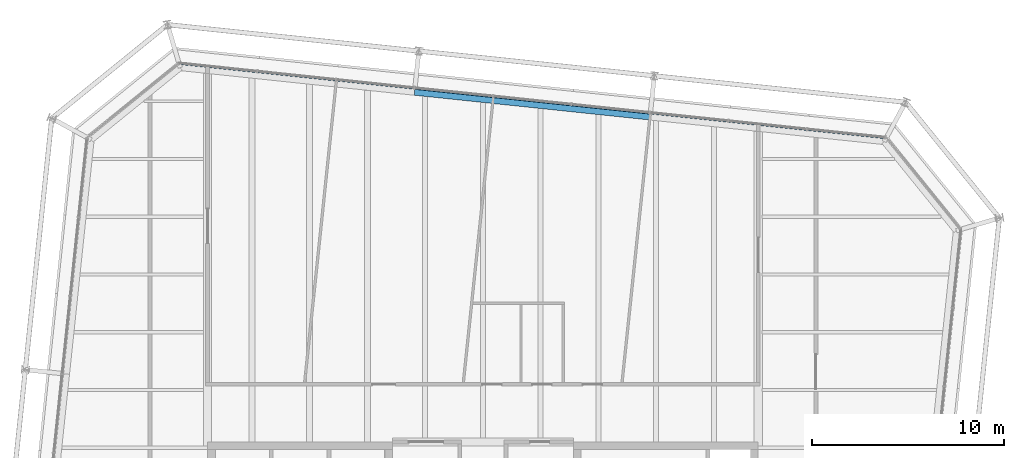
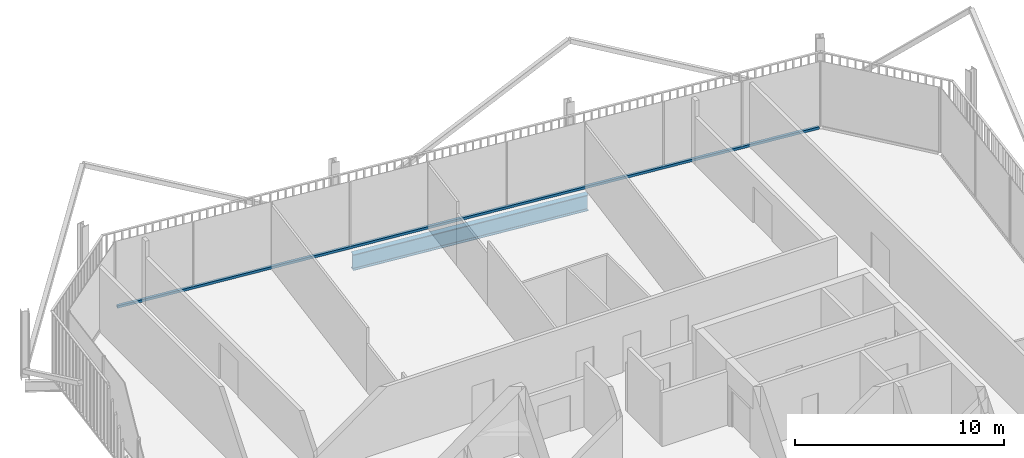
# One storey, part 13 of 21: 1 beam, 1 member, 1 element without a shape of its own.
"""IFC4 building model written with IfcOpenShell, lengths in metres."""

from ifc_helpers import new_model, si_unit, direction, frame, origin, origin_2d, place, context, subcontext, project, spatial, rectangle, i_section, extrude, material, layer, layer_set, material_profile, profile_set, type_object, element, aggregate, save


model = new_model("IFC4")

# Units and contexts
model_context = context("Model", 3, precision=1e-05, world=origin(), true_north=direction((0.0, 1.0)))
body_context = subcontext(model_context, "Body", "Model", "MODEL_VIEW")
ifc_project = project(units=[si_unit("LENGTHUNIT", "METRE"), si_unit("AREAUNIT", "SQUARE_METRE"), si_unit("VOLUMEUNIT", "CUBIC_METRE"), si_unit("PLANEANGLEUNIT", "RADIAN"), si_unit("MASSUNIT", "GRAM", prefix="KILO")], contexts=[model_context])

# Site, building, storey
site_placement = place(None, origin())
site = spatial("IfcSite", under=ifc_project, at=site_placement, CompositionType="ELEMENT")
building_placement = place(site_placement, origin())
building = spatial("IfcBuilding", under=site, at=building_placement, Name="Millrace Tower", CompositionType="ELEMENT")
storey_placement = place(building_placement, frame((0.0, 0.0, 283.800048828125)))
storey = spatial("IfcBuildingStorey", under=building, at=storey_placement, Name="L65", CompositionType="ELEMENT", Elevation=283.800048828125)

# Curtain wall, member
ifc_material_1 = material(Name="Aluminium and glass", Category="aluminium")
ifc_layer = layer(ifc_material_1, 0.14990234375)
ifc_layer_set = layer_set([ifc_layer], Name="Aluminium and glass")
curtain_wall_type = type_object("IfcCurtainWallType", Name="CW-1 office vision curtain wall", PredefinedType="NOTDEFINED", material=ifc_layer_set)
curtain_wall_placement = place(storey_placement, origin())
curtain_wall = element("IfcCurtainWall", 1, at=curtain_wall_placement, inside=storey, type_object=curtain_wall_type, Name="Curtain wall E-F06 L65", PredefinedType="NOTDEFINED")
ifc_material_2 = material(Name="Aluminium", Category="aluminium")
ifc_material_profile_1 = material_profile(ifc_material_2, rectangle(XDim=0.14990234375, YDim=0.139892578125, at=origin_2d()))
ifc_profile_set_1 = profile_set([ifc_material_profile_1], Name="Aluminium")
member_type = type_object("IfcMemberType", Name="CW-1 office vision curtain wall transom", PredefinedType="USERDEFINED", material=ifc_profile_set_1)
member_placement = place(storey_placement, frame((20.83544921875, 25.1318359375, 0.070068359375), z_axis=(-0.994521952886, 0.104527916025, 0.0), x_axis=(-0.104527916025, -0.994521952886, 0.0)))
member = element("IfcMember", 2, at=member_placement, type_object=member_type, Name="CW1 transom E-F06.1", ObjectType="TRANSOM", PredefinedType="USERDEFINED", context=body_context, shape_type="SweptSolid", body=[
    extrude(rectangle(XDim=0.14990234375, YDim=0.139892578125, at=origin_2d()), origin(), (0.0, 0.0, 1.0), 36.699951171875),
])
aggregate(curtain_wall, [member])

# Beam
ifc_material_3 = material(Name="Steel ASTM A992 Grade 50", Category="steel")
ifc_material_profile_2 = material_profile(ifc_material_3, i_section(OverallWidth=0.307373046875, OverallDepth=0.927001953125, WebThickness=0.01953125, FlangeThickness=0.031982421875, FilletRadius=0.01904296875, at=origin_2d()))
ifc_profile_set_2 = profile_set([ifc_material_profile_2], Name="Steel ASTM A992 Grade 50")
beam_type = type_object("IfcBeamType", Name="Ring beam medium span W36x194", PredefinedType="SPANDREL", material=ifc_profile_set_2)
beam_placement = place(storey_placement, frame((-3.554443359375, 27.46533203125, -0.62353515625), z_axis=(0.994522406476, -0.104523600289, 0.0), x_axis=(0.104523600289, 0.994522406476, 0.0)))
element("IfcBeam", 3, at=beam_placement, inside=storey, type_object=beam_type, Name="RNG-E-L65-S1-06", PredefinedType="SPANDREL", context=body_context, shape_type="SweptSolid", body=[
    extrude(i_section(OverallWidth=0.307373046875, OverallDepth=0.927001953125, WebThickness=0.01953125, FlangeThickness=0.031982421875, FilletRadius=0.01904296875, at=origin_2d()), origin(), (0.0, 0.0, 1.0), 12.300048828125),
])

save(model, "model.ifc")
